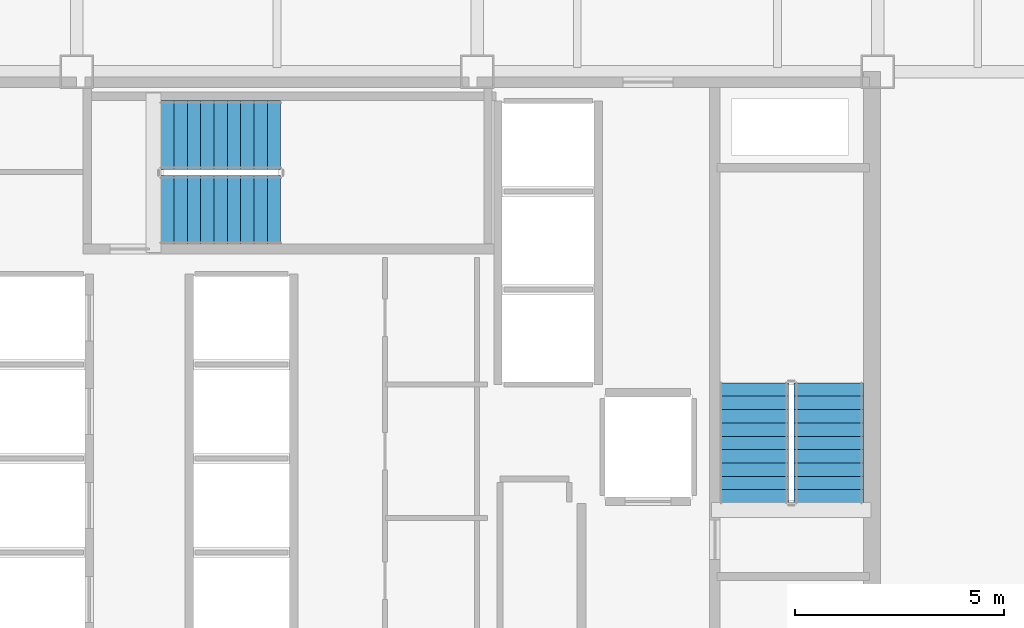
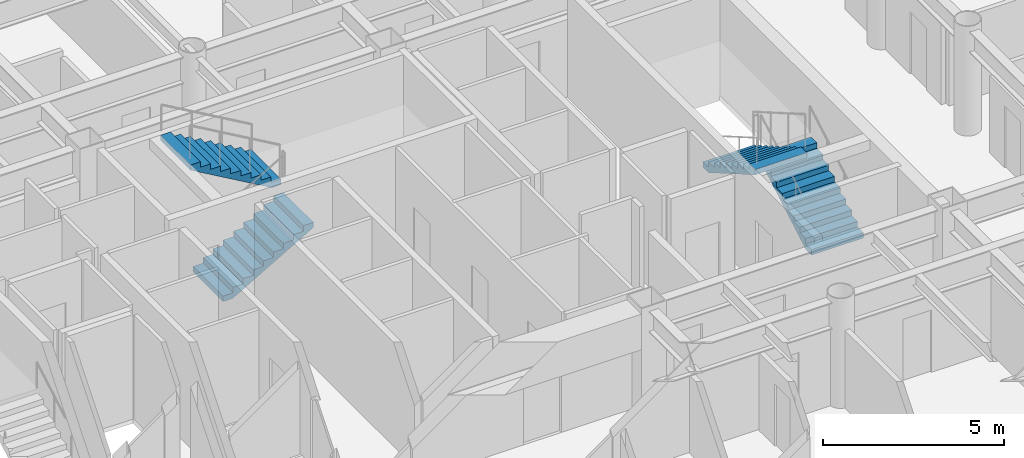
# One storey, part 20 of 21: 4 stair flights, 2 elements without a shape of their own.
"""IFC4 building model written with IfcOpenShell, lengths in metres."""

from ifc_helpers import new_model, si_unit, direction, frame, origin, place, context, subcontext, project, spatial, polyline, outline, extrude, material, type_object, element, aggregate, save


model = new_model("IFC4")

# Units and contexts
model_context = context("Model", 3, precision=1e-05, world=origin(), true_north=direction((0.0, 1.0)))
body_context = subcontext(model_context, "Body", "Model", "MODEL_VIEW")
ifc_project = project(units=[si_unit("LENGTHUNIT", "METRE"), si_unit("AREAUNIT", "SQUARE_METRE"), si_unit("VOLUMEUNIT", "CUBIC_METRE"), si_unit("PLANEANGLEUNIT", "RADIAN"), si_unit("MASSUNIT", "GRAM", prefix="KILO")], contexts=[model_context])

# Site, building, storey
site_placement = place(None, origin())
site = spatial("IfcSite", under=ifc_project, at=site_placement, CompositionType="ELEMENT")
building_placement = place(site_placement, origin())
building = spatial("IfcBuilding", under=site, at=building_placement, Name="Kallvorn Hotel Tower", CompositionType="ELEMENT")
storey_placement = place(building_placement, frame((0.0, 0.0, 81.800048828125)))
storey = spatial("IfcBuildingStorey", under=building, at=storey_placement, Name="L19", CompositionType="ELEMENT", Elevation=81.800048828125)

# Stair, stair flights
ifc_material_1 = material(Name="Precast concrete C40/50", Category="concrete")
stair_type = type_object("IfcStairType", Name="STR_CORE_DOGLEG", PredefinedType="HALF_TURN_STAIR", material=ifc_material_1)
stair_1_placement = place(storey_placement, origin())
stair_1 = element("IfcStair", 1, at=stair_1_placement, inside=storey, type_object=stair_type, Name="L19 Exit stair ST2", PredefinedType="HALF_TURN_STAIR")
ifc_material_2 = material(Name="Precast concrete C40/50", Category="concrete")
stair_flight_type = type_object("IfcStairFlightType", Name="FLT_CORE_1660", PredefinedType="STRAIGHT", material=ifc_material_2)
stair_flight_1_placement = place(storey_placement, frame((13.22998046875, -3.139892578125, 0.0), z_axis=(0.0, 0.0, 1.0), x_axis=(0.0, 1.0, 0.0)))
stair_flight_1 = element("IfcStairFlight", 2, at=stair_flight_1_placement, type_object=stair_flight_type, Name="ST2 flight 1", NumberOfRisers=10, NumberOfTreads=9, PredefinedType="STRAIGHT", RiserHeight=0.185, TreadLength=0.32, context=body_context, shape_type="SweptSolid", body=[
    extrude(outline(polyline([(0.0, 0.0), (0.0, 0.18505859375), (0.320068359375, 0.18505859375), (0.320068359375, 0.3701171875), (0.639892578125, 0.3701171875), (0.639892578125, 0.554931640625), (0.9599609375, 0.554931640625), (0.9599609375, 0.739990234375), (1.280029296875, 0.739990234375), (1.280029296875, 0.925048828125), (1.60009765625, 0.925048828125), (1.60009765625, 1.110107421875), (1.919921875, 1.110107421875), (1.919921875, 1.294921875), (2.239990234375, 1.294921875), (2.239990234375, 1.47998046875), (2.56005859375, 1.47998046875), (2.56005859375, 1.6650390625), (2.8798828125, 1.6650390625), (2.8798828125, 1.85009765625), (2.8798828125, 1.491943359375), (0.299560546875, 0.0), (0.0, 0.0)])), frame((0.0, 0.830078125, 0.0), z_axis=(0.0, -1.0, 0.0), x_axis=(1.0, 0.0, 0.0)), (0.0, 0.0, 1.0), 1.659912109375),
])
stair_flight_2_placement = place(storey_placement, frame((11.429931640625, -0.260009765625, 1.849853515625), z_axis=(0.0, 0.0, 1.0), x_axis=(0.0, -1.0, 0.0)))
stair_flight_2 = element("IfcStairFlight", 3, at=stair_flight_2_placement, type_object=stair_flight_type, Name="ST2 flight 2", NumberOfRisers=10, NumberOfTreads=9, PredefinedType="STRAIGHT", RiserHeight=0.185, TreadLength=0.32, context=body_context, shape_type="SweptSolid", body=[
    extrude(outline(polyline([(0.0, 0.0), (0.0, 0.18505859375), (0.320068359375, 0.18505859375), (0.320068359375, 0.3701171875), (0.639892578125, 0.3701171875), (0.639892578125, 0.554931640625), (0.9599609375, 0.554931640625), (0.9599609375, 0.739990234375), (1.280029296875, 0.739990234375), (1.280029296875, 0.925048828125), (1.60009765625, 0.925048828125), (1.60009765625, 1.110107421875), (1.919921875, 1.110107421875), (1.919921875, 1.294921875), (2.239990234375, 1.294921875), (2.239990234375, 1.47998046875), (2.56005859375, 1.47998046875), (2.56005859375, 1.6650390625), (2.8798828125, 1.6650390625), (2.8798828125, 1.85009765625), (2.8798828125, 1.491943359375), (0.299560546875, 0.0), (0.0, 0.0)])), frame((0.0, 0.830078125, 0.0), z_axis=(0.0, -1.0, 0.0), x_axis=(1.0, 0.0, 0.0)), (0.0, 0.0, 1.0), 1.659912109375),
])
aggregate(stair_1, [stair_flight_1, stair_flight_2])

stair_2_placement = place(storey_placement, origin())
stair_2 = element("IfcStair", 4, at=stair_2_placement, inside=storey, type_object=stair_type, Name="L19 Exit stair ST3", PredefinedType="HALF_TURN_STAIR")
stair_flight_3_placement = place(storey_placement, frame((-2.7900390625, 3.8798828125, 0.0), z_axis=(0.0, 0.0, 1.0), x_axis=(1.0, 0.0, 0.0)))
stair_flight_3 = element("IfcStairFlight", 5, at=stair_flight_3_placement, type_object=stair_flight_type, Name="ST3 flight 1", NumberOfRisers=10, NumberOfTreads=9, PredefinedType="STRAIGHT", RiserHeight=0.185, TreadLength=0.32, context=body_context, shape_type="SweptSolid", body=[
    extrude(outline(polyline([(0.0, 0.0), (0.0, 0.18505859375), (0.320068359375, 0.18505859375), (0.320068359375, 0.3701171875), (0.639892578125, 0.3701171875), (0.639892578125, 0.554931640625), (0.9599609375, 0.554931640625), (0.9599609375, 0.739990234375), (1.280029296875, 0.739990234375), (1.280029296875, 0.925048828125), (1.60009765625, 0.925048828125), (1.60009765625, 1.110107421875), (1.919921875, 1.110107421875), (1.919921875, 1.294921875), (2.239990234375, 1.294921875), (2.239990234375, 1.47998046875), (2.56005859375, 1.47998046875), (2.56005859375, 1.6650390625), (2.8798828125, 1.6650390625), (2.8798828125, 1.85009765625), (2.8798828125, 1.491943359375), (0.299560546875, 0.0), (0.0, 0.0)])), frame((0.0, 0.830078125, 0.0), z_axis=(0.0, -1.0, 0.0), x_axis=(1.0, 0.0, 0.0)), (0.0, 0.0, 1.0), 1.659912109375),
])
stair_flight_4_placement = place(storey_placement, frame((0.090087890625, 5.679931640625, 1.849853515625), z_axis=(0.0, 0.0, 1.0), x_axis=(-1.0, 0.0, 0.0)))
stair_flight_4 = element("IfcStairFlight", 6, at=stair_flight_4_placement, type_object=stair_flight_type, Name="ST3 flight 2", NumberOfRisers=10, NumberOfTreads=9, PredefinedType="STRAIGHT", RiserHeight=0.185, TreadLength=0.32, context=body_context, shape_type="SweptSolid", body=[
    extrude(outline(polyline([(0.0, 0.0), (0.0, 0.18505859375), (0.320068359375, 0.18505859375), (0.320068359375, 0.3701171875), (0.639892578125, 0.3701171875), (0.639892578125, 0.554931640625), (0.9599609375, 0.554931640625), (0.9599609375, 0.739990234375), (1.280029296875, 0.739990234375), (1.280029296875, 0.925048828125), (1.60009765625, 0.925048828125), (1.60009765625, 1.110107421875), (1.919921875, 1.110107421875), (1.919921875, 1.294921875), (2.239990234375, 1.294921875), (2.239990234375, 1.47998046875), (2.56005859375, 1.47998046875), (2.56005859375, 1.6650390625), (2.8798828125, 1.6650390625), (2.8798828125, 1.85009765625), (2.8798828125, 1.491943359375), (0.299560546875, 0.0), (0.0, 0.0)])), frame((0.0, 0.830078125, 0.0), z_axis=(0.0, -1.0, 0.0), x_axis=(1.0, 0.0, 0.0)), (0.0, 0.0, 1.0), 1.659912109375),
])
aggregate(stair_2, [stair_flight_3, stair_flight_4])

save(model, "model.ifc")
